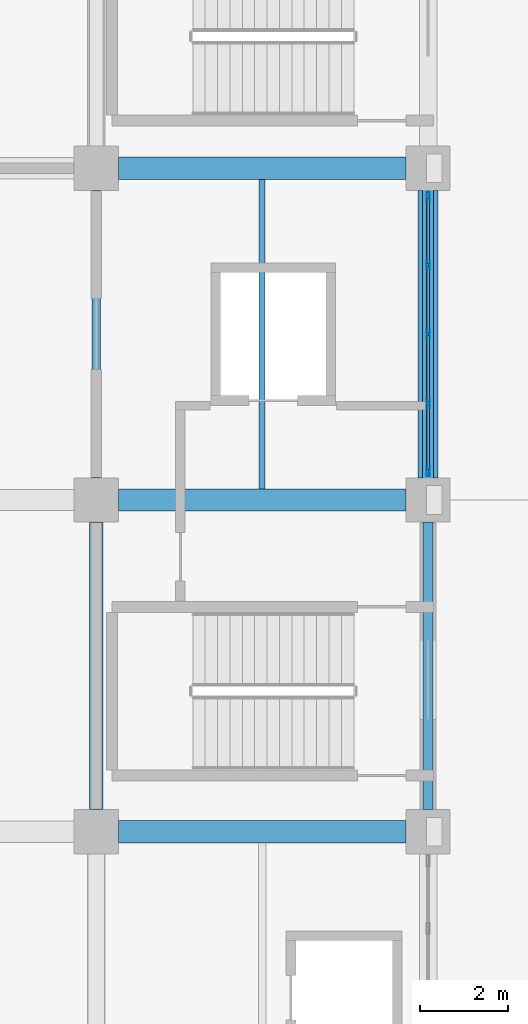
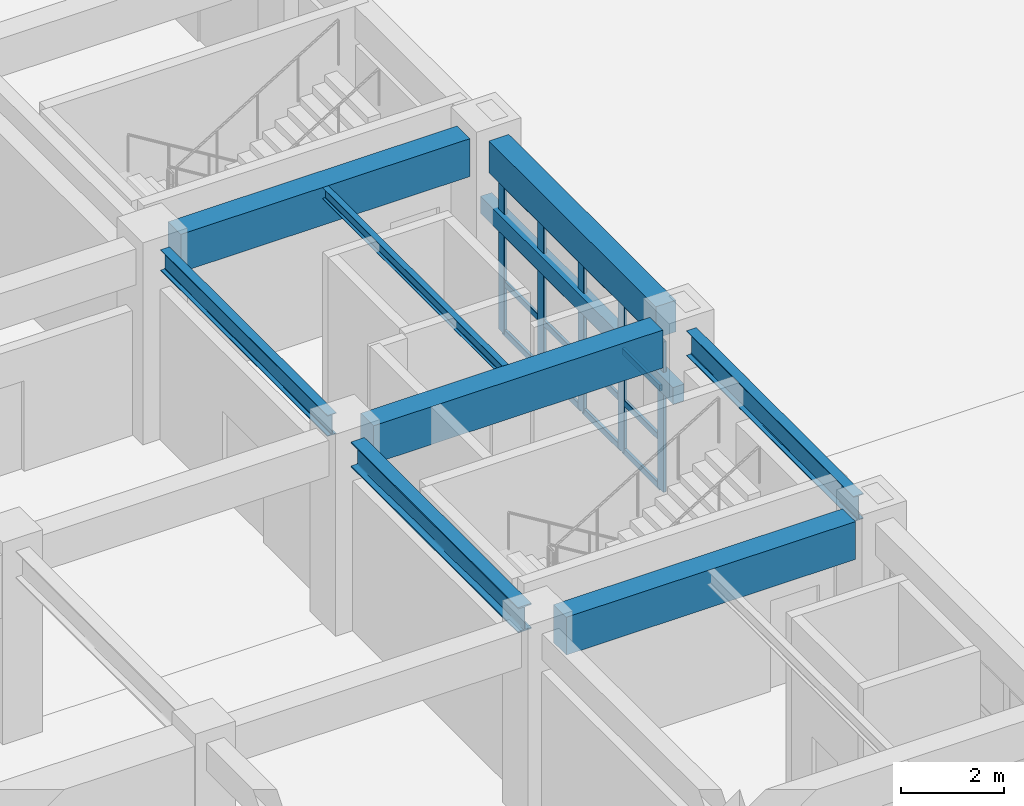
# One storey, part 30 of 122: 21 members, 9 beams, 1 element without a shape of its own.
"""IFC4 building model written with IfcOpenShell, lengths in metres."""

from ifc_helpers import new_model, si_unit, direction, frame, origin, origin_2d, place, context, subcontext, project, spatial, rectangle, hollow_rectangle, i_section, extrude, material, material_profile, profile_set, type_object, element, aggregate, save


model = new_model("IFC4")

# Units and contexts
model_context = context("Model", 3, precision=1e-05, world=origin(), true_north=direction((0.0, 1.0)))
body_context = subcontext(model_context, "Body", "Model", "MODEL_VIEW")
ifc_project = project(units=[si_unit("LENGTHUNIT", "METRE"), si_unit("AREAUNIT", "SQUARE_METRE"), si_unit("VOLUMEUNIT", "CUBIC_METRE"), si_unit("PLANEANGLEUNIT", "RADIAN"), si_unit("MASSUNIT", "GRAM", prefix="KILO")], contexts=[model_context])

# Site, building, storey
site_placement = place(None, origin())
site = spatial("IfcSite", under=ifc_project, at=site_placement, CompositionType="ELEMENT")
building_placement = place(site_placement, origin())
building = spatial("IfcBuilding", under=site, at=building_placement, Name="Qasida Concert Hall", CompositionType="ELEMENT")
storey_placement = place(building_placement, origin())
storey = spatial("IfcBuildingStorey", under=building, at=storey_placement, Name="L00", CompositionType="ELEMENT", Elevation=0.0)

# Beams
ifc_material_1 = material(Name="Steel S355J2", Category="steel")
ifc_material_profile_1 = material_profile(ifc_material_1, i_section(OverallWidth=0.199951171875, OverallDepth=0.5, WebThickness=0.01025390625, FlangeThickness=0.01611328125, FilletRadius=0.02099609375, at=origin_2d()), Name="IPE 500")
ifc_profile_set_1 = profile_set([ifc_material_profile_1], Name="Steel S355J2")
beam_type_1 = type_object("IfcBeamType", Name="BM-B4", PredefinedType="BEAM", material=ifc_profile_set_1)
beam_1_placement = place(storey_placement, frame((97.5, 53.0, 4.25), z_axis=(0.0, 1.0, 0.0), x_axis=(-1.0, 0.0, 0.0)))
element("IfcBeam", 1, at=beam_1_placement, inside=storey, type_object=beam_type_1, Name="L00 girder 0432", PredefinedType="BEAM", context=body_context, shape_type="SweptSolid", body=[
    extrude(i_section(OverallWidth=0.199951171875, OverallDepth=0.5, WebThickness=0.01025390625, FlangeThickness=0.01611328125, FilletRadius=0.02099609375, at=origin_2d()), origin(), (0.0, 0.0, 1.0), 6.5),
])
ifc_material_profile_2 = material_profile(ifc_material_1, i_section(OverallWidth=0.300048828125, OverallDepth=0.60009765625, WebThickness=0.015380859375, FlangeThickness=0.030029296875, FilletRadius=0.027099609375, at=origin_2d()), Name="HEB 600")
ifc_profile_set_2 = profile_set([ifc_material_profile_2], Name="Steel S355J2")
beam_type_2 = type_object("IfcBeamType", Name="BM-B6", PredefinedType="BEAM", material=ifc_profile_set_2)
beam_2_placement = place(storey_placement, frame((97.5, 45.5, 4.199951171875), z_axis=(0.0, 1.0, 0.0), x_axis=(-1.0, 0.0, 0.0)))
element("IfcBeam", 2, at=beam_2_placement, inside=storey, type_object=beam_type_2, Name="L00 girder 0431", PredefinedType="BEAM", context=body_context, shape_type="SweptSolid", body=[
    extrude(i_section(OverallWidth=0.300048828125, OverallDepth=0.60009765625, WebThickness=0.015380859375, FlangeThickness=0.030029296875, FilletRadius=0.027099609375, at=origin_2d()), origin(), (0.0, 0.0, 1.0), 6.5),
])
ifc_material_2 = material(Name="Concrete C40/50", Category="concrete")
ifc_material_profile_3 = material_profile(ifc_material_2, rectangle(XDim=0.5, YDim=0.89990234375, at=origin_2d()), Name="RC 500x900")
ifc_profile_set_3 = profile_set([ifc_material_profile_3], Name="Concrete C40/50")
beam_type_3 = type_object("IfcBeamType", Name="BM-G1", PredefinedType="USERDEFINED", material=ifc_profile_set_3)
for number, where, z_axis, x_axis, name in (
    (3, (98.0, 45.0, 4.050048828125), (1.0, 0.0, 0.0), (0.0, 1.0, 0.0), "Primary girder 0374"),
    (4, (98.0, 52.5, 4.050048828125), (1.0, 0.0, 0.0), (0.0, 1.0, 0.0), "Primary girder 0379"),
    (5, (98.0, 60.0, 4.050048828125), (1.0, 0.0, 0.0), (0.0, 1.0, 0.0), "Primary girder 0384"),
):
    element("IfcBeam", number, at=place(storey_placement, frame(where, z_axis=z_axis, x_axis=x_axis)), inside=storey, type_object=beam_type_3, Name=name, ObjectType="GIRDER", PredefinedType="USERDEFINED", context=body_context, shape_type="SweptSolid", body=[
        extrude(rectangle(XDim=0.5, YDim=0.89990234375, at=origin_2d()), origin(), (0.0, 0.0, 1.0), 6.5),
    ])
ifc_material_profile_4 = material_profile(ifc_material_1, i_section(OverallWidth=0.135009765625, OverallDepth=0.27001953125, WebThickness=0.006591796875, FlangeThickness=0.01025390625, FilletRadius=0.014892578125, at=origin_2d()), Name="IPE 270")
ifc_profile_set_4 = profile_set([ifc_material_profile_4], Name="Steel S355J2")
beam_type_4 = type_object("IfcBeamType", Name="BM-J6", PredefinedType="JOIST", material=ifc_profile_set_4)
beam_3_placement = place(storey_placement, frame((101.25, 52.75, 4.364990234375), z_axis=(0.0, 1.0, 0.0), x_axis=(-1.0, 0.0, 0.0)))
element("IfcBeam", 6, at=beam_3_placement, inside=storey, type_object=beam_type_4, Name="L00 secondary joist 0461", PredefinedType="JOIST", context=body_context, shape_type="SweptSolid", body=[
    extrude(i_section(OverallWidth=0.135009765625, OverallDepth=0.27001953125, WebThickness=0.006591796875, FlangeThickness=0.01025390625, FilletRadius=0.014892578125, at=origin_2d()), origin(), (0.0, 0.0, 1.0), 7.0),
])
ifc_material_profile_5 = material_profile(ifc_material_2, rectangle(XDim=0.25, YDim=0.39990234375, at=origin_2d()), Name="RC 250x400")
ifc_profile_set_5 = profile_set([ifc_material_profile_5], Name="Concrete C40/50")
beam_type_5 = type_object("IfcBeamType", Name="BM-LN1", PredefinedType="LINTEL", material=ifc_profile_set_5)
beam_4_placement = place(storey_placement, frame((105.0, 52.5, 2.64990234375), z_axis=(0.0, 1.0, 0.0), x_axis=(-1.0, 0.0, 0.0)))
element("IfcBeam", 7, at=beam_4_placement, inside=storey, type_object=beam_type_5, Name="L00 portal lintel beam 002", PredefinedType="LINTEL", context=body_context, shape_type="SweptSolid", body=[
    extrude(rectangle(XDim=0.25, YDim=0.39990234375, at=origin_2d()), origin(), (0.0, 0.0, 1.0), 7.5),
])
ifc_material_profile_6 = material_profile(ifc_material_1, i_section(OverallWidth=0.219970703125, OverallDepth=0.60009765625, WebThickness=0.011962890625, FlangeThickness=0.01904296875, FilletRadius=0.02392578125, at=origin_2d()), Name="IPE 600")
ifc_profile_set_6 = profile_set([ifc_material_profile_6], Name="Steel S355J2")
beam_type_6 = type_object("IfcBeamType", Name="BM-SP3", PredefinedType="SPANDREL", material=ifc_profile_set_6)
beam_5_placement = place(storey_placement, frame((105.0, 45.5, 4.199951171875), z_axis=(0.0, 1.0, 0.0), x_axis=(-1.0, 0.0, 0.0)))
element("IfcBeam", 8, at=beam_5_placement, inside=storey, type_object=beam_type_6, Name="L00 girder 0437", PredefinedType="SPANDREL", context=body_context, shape_type="SweptSolid", body=[
    extrude(i_section(OverallWidth=0.219970703125, OverallDepth=0.60009765625, WebThickness=0.011962890625, FlangeThickness=0.01904296875, FilletRadius=0.02392578125, at=origin_2d()), origin(), (0.0, 0.0, 1.0), 6.5),
])
ifc_material_profile_7 = material_profile(ifc_material_2, rectangle(XDim=0.449951171875, YDim=0.75, at=origin_2d()), Name="RC 450x750")
ifc_profile_set_7 = profile_set([ifc_material_profile_7], Name="Concrete C40/50")
beam_type_7 = type_object("IfcBeamType", Name="BM-SP4", PredefinedType="SPANDREL", material=ifc_profile_set_7)
beam_6_placement = place(storey_placement, frame((105.0, 53.0, 4.125), z_axis=(0.0, 1.0, 0.0), x_axis=(-1.0, 0.0, 0.0)))
element("IfcBeam", 9, at=beam_6_placement, inside=storey, type_object=beam_type_7, Name="L00 girder 0438", PredefinedType="SPANDREL", context=body_context, shape_type="SweptSolid", body=[
    extrude(rectangle(XDim=0.449951171875, YDim=0.75, at=origin_2d()), origin(), (0.0, 0.0, 1.0), 6.5),
])

# Curtain wall, members
ifc_material_3 = material(Name="Architectural bronze-anodized aluminium and low-E glass", Category="aluminium")
curtain_wall_type = type_object("IfcCurtainWallType", Name="CW-01", PredefinedType="NOTDEFINED", material=ifc_material_3)
curtain_wall_placement = place(storey_placement, origin())
curtain_wall = element("IfcCurtainWall", 10, at=curtain_wall_placement, inside=storey, type_object=curtain_wall_type, Name="L00 curtain wall CW-01 0040", PredefinedType="NOTDEFINED")
ifc_material_4 = material(Name="Architectural bronze-anodized aluminium EN AW-6063", Category="aluminium")
ifc_material_profile_8 = material_profile(ifc_material_4, hollow_rectangle(XDim=0.070068359375, YDim=0.239990234375, WallThickness=0.0048828125, InnerFilletRadius=0.0048828125, OuterFilletRadius=0.010009765625, at=origin_2d()), Name="CWM 240x70x5")
ifc_profile_set_8 = profile_set([ifc_material_profile_8], Name="Architectural bronze-anodized aluminium EN AW-6063")
member_type_1 = type_object("IfcMemberType", Name="MB-CWM-1", PredefinedType="MULLION", material=ifc_profile_set_8)
member_1_placement = place(storey_placement, frame((105.0, 53.155029296875, 0.0), z_axis=(0.0, 0.0, 1.0), x_axis=(-1.0, 0.0, 0.0)))
member_1 = element("IfcMember", 11, at=member_1_placement, type_object=member_type_1, Name="CW-01 mullion 1", PredefinedType="MULLION", context=body_context, shape_type="SweptSolid", body=[
    extrude(hollow_rectangle(XDim=0.070068359375, YDim=0.239990234375, WallThickness=0.0048828125, InnerFilletRadius=0.0048828125, OuterFilletRadius=0.010009765625, at=origin_2d()), origin(), (0.0, 0.0, 1.0), 3.570068359375),
])
member_2_placement = place(storey_placement, frame((105.0, 54.68505859375, 0.0), z_axis=(0.0, 0.0, 1.0), x_axis=(-1.0, 0.0, 0.0)))
member_2 = element("IfcMember", 12, at=member_2_placement, type_object=member_type_1, Name="CW-01 mullion 2", PredefinedType="MULLION", context=body_context, shape_type="SweptSolid", body=[
    extrude(hollow_rectangle(XDim=0.070068359375, YDim=0.239990234375, WallThickness=0.0048828125, InnerFilletRadius=0.0048828125, OuterFilletRadius=0.010009765625, at=origin_2d()), origin(), (0.0, 0.0, 1.0), 3.570068359375),
])
member_3_placement = place(storey_placement, frame((105.0, 56.25, 0.0), z_axis=(0.0, 0.0, 1.0), x_axis=(-1.0, 0.0, 0.0)))
member_3 = element("IfcMember", 13, at=member_3_placement, type_object=member_type_1, Name="CW-01 mullion 3", PredefinedType="MULLION", context=body_context, shape_type="SweptSolid", body=[
    extrude(hollow_rectangle(XDim=0.070068359375, YDim=0.239990234375, WallThickness=0.0048828125, InnerFilletRadius=0.0048828125, OuterFilletRadius=0.010009765625, at=origin_2d()), origin(), (0.0, 0.0, 1.0), 3.570068359375),
])
member_4_placement = place(storey_placement, frame((105.0, 57.81494140625, 0.0), z_axis=(0.0, 0.0, 1.0), x_axis=(-1.0, 0.0, 0.0)))
member_4 = element("IfcMember", 14, at=member_4_placement, type_object=member_type_1, Name="CW-01 mullion 4", PredefinedType="MULLION", context=body_context, shape_type="SweptSolid", body=[
    extrude(hollow_rectangle(XDim=0.070068359375, YDim=0.239990234375, WallThickness=0.0048828125, InnerFilletRadius=0.0048828125, OuterFilletRadius=0.010009765625, at=origin_2d()), origin(), (0.0, 0.0, 1.0), 3.570068359375),
])
member_5_placement = place(storey_placement, frame((105.0, 59.344970703125, 0.0), z_axis=(0.0, 0.0, 1.0), x_axis=(-1.0, 0.0, 0.0)))
member_5 = element("IfcMember", 15, at=member_5_placement, type_object=member_type_1, Name="CW-01 mullion 5", PredefinedType="MULLION", context=body_context, shape_type="SweptSolid", body=[
    extrude(hollow_rectangle(XDim=0.070068359375, YDim=0.239990234375, WallThickness=0.0048828125, InnerFilletRadius=0.0048828125, OuterFilletRadius=0.010009765625, at=origin_2d()), origin(), (0.0, 0.0, 1.0), 3.570068359375),
])
ifc_material_profile_9 = material_profile(ifc_material_4, hollow_rectangle(XDim=0.06494140625, YDim=0.14990234375, WallThickness=0.00390625, InnerFilletRadius=0.00390625, OuterFilletRadius=0.008056640625, at=origin_2d()), Name="CWT 150x65x4")
ifc_profile_set_9 = profile_set([ifc_material_profile_9], Name="Architectural bronze-anodized aluminium EN AW-6063")
member_type_2 = type_object("IfcMemberType", Name="MB-CWT-1", PredefinedType="USERDEFINED", material=ifc_profile_set_9)
member_6_placement = place(storey_placement, frame((105.0, 53.18994140625, 0.032470703125), z_axis=(0.0, 1.0, 0.0), x_axis=(-1.0, 0.0, 0.0)))
member_6 = element("IfcMember", 16, at=member_6_placement, type_object=member_type_2, Name="CW-01 transom 1.1", ObjectType="TRANSOM", PredefinedType="USERDEFINED", context=body_context, shape_type="SweptSolid", body=[
    extrude(hollow_rectangle(XDim=0.06494140625, YDim=0.14990234375, WallThickness=0.00390625, InnerFilletRadius=0.00390625, OuterFilletRadius=0.008056640625, at=origin_2d()), origin(), (0.0, 0.0, 1.0), 1.4599609375),
])
member_7_placement = place(storey_placement, frame((105.0, 53.18994140625, 1.18994140625), z_axis=(0.0, 1.0, 0.0), x_axis=(-1.0, 0.0, 0.0)))
member_7 = element("IfcMember", 17, at=member_7_placement, type_object=member_type_2, Name="CW-01 transom 1.2", ObjectType="TRANSOM", PredefinedType="USERDEFINED", context=body_context, shape_type="SweptSolid", body=[
    extrude(hollow_rectangle(XDim=0.06494140625, YDim=0.14990234375, WallThickness=0.00390625, InnerFilletRadius=0.00390625, OuterFilletRadius=0.008056640625, at=origin_2d()), origin(), (0.0, 0.0, 1.0), 1.4599609375),
])
member_8_placement = place(storey_placement, frame((105.0, 53.18994140625, 2.3798828125), z_axis=(0.0, 1.0, 0.0), x_axis=(-1.0, 0.0, 0.0)))
member_8 = element("IfcMember", 18, at=member_8_placement, type_object=member_type_2, Name="CW-01 transom 1.3", ObjectType="TRANSOM", PredefinedType="USERDEFINED", context=body_context, shape_type="SweptSolid", body=[
    extrude(hollow_rectangle(XDim=0.06494140625, YDim=0.14990234375, WallThickness=0.00390625, InnerFilletRadius=0.00390625, OuterFilletRadius=0.008056640625, at=origin_2d()), origin(), (0.0, 0.0, 1.0), 1.4599609375),
])
member_9_placement = place(storey_placement, frame((105.0, 53.18994140625, 3.53759765625), z_axis=(0.0, 1.0, 0.0), x_axis=(-1.0, 0.0, 0.0)))
member_9 = element("IfcMember", 19, at=member_9_placement, type_object=member_type_2, Name="CW-01 transom 1.4", ObjectType="TRANSOM", PredefinedType="USERDEFINED", context=body_context, shape_type="SweptSolid", body=[
    extrude(hollow_rectangle(XDim=0.06494140625, YDim=0.14990234375, WallThickness=0.00390625, InnerFilletRadius=0.00390625, OuterFilletRadius=0.008056640625, at=origin_2d()), origin(), (0.0, 0.0, 1.0), 1.4599609375),
])
member_10_placement = place(storey_placement, frame((105.0, 54.719970703125, 0.032470703125), z_axis=(0.0, 1.0, 0.0), x_axis=(-1.0, 0.0, 0.0)))
member_10 = element("IfcMember", 20, at=member_10_placement, type_object=member_type_2, Name="CW-01 transom 2.1", ObjectType="TRANSOM", PredefinedType="USERDEFINED", context=body_context, shape_type="SweptSolid", body=[
    extrude(hollow_rectangle(XDim=0.06494140625, YDim=0.14990234375, WallThickness=0.00390625, InnerFilletRadius=0.00390625, OuterFilletRadius=0.008056640625, at=origin_2d()), origin(), (0.0, 0.0, 1.0), 1.4951171875),
])
member_11_placement = place(storey_placement, frame((105.0, 54.719970703125, 1.18994140625), z_axis=(0.0, 1.0, 0.0), x_axis=(-1.0, 0.0, 0.0)))
member_11 = element("IfcMember", 21, at=member_11_placement, type_object=member_type_2, Name="CW-01 transom 2.2", ObjectType="TRANSOM", PredefinedType="USERDEFINED", context=body_context, shape_type="SweptSolid", body=[
    extrude(hollow_rectangle(XDim=0.06494140625, YDim=0.14990234375, WallThickness=0.00390625, InnerFilletRadius=0.00390625, OuterFilletRadius=0.008056640625, at=origin_2d()), origin(), (0.0, 0.0, 1.0), 1.4951171875),
])
member_12_placement = place(storey_placement, frame((105.0, 54.719970703125, 2.3798828125), z_axis=(0.0, 1.0, 0.0), x_axis=(-1.0, 0.0, 0.0)))
member_12 = element("IfcMember", 22, at=member_12_placement, type_object=member_type_2, Name="CW-01 transom 2.3", ObjectType="TRANSOM", PredefinedType="USERDEFINED", context=body_context, shape_type="SweptSolid", body=[
    extrude(hollow_rectangle(XDim=0.06494140625, YDim=0.14990234375, WallThickness=0.00390625, InnerFilletRadius=0.00390625, OuterFilletRadius=0.008056640625, at=origin_2d()), origin(), (0.0, 0.0, 1.0), 1.4951171875),
])
member_13_placement = place(storey_placement, frame((105.0, 54.719970703125, 3.53759765625), z_axis=(0.0, 1.0, 0.0), x_axis=(-1.0, 0.0, 0.0)))
member_13 = element("IfcMember", 23, at=member_13_placement, type_object=member_type_2, Name="CW-01 transom 2.4", ObjectType="TRANSOM", PredefinedType="USERDEFINED", context=body_context, shape_type="SweptSolid", body=[
    extrude(hollow_rectangle(XDim=0.06494140625, YDim=0.14990234375, WallThickness=0.00390625, InnerFilletRadius=0.00390625, OuterFilletRadius=0.008056640625, at=origin_2d()), origin(), (0.0, 0.0, 1.0), 1.4951171875),
])
member_14_placement = place(storey_placement, frame((105.0, 56.284912109375, 0.032470703125), z_axis=(0.0, 1.0, 0.0), x_axis=(-1.0, 0.0, 0.0)))
member_14 = element("IfcMember", 24, at=member_14_placement, type_object=member_type_2, Name="CW-01 transom 3.1", ObjectType="TRANSOM", PredefinedType="USERDEFINED", context=body_context, shape_type="SweptSolid", body=[
    extrude(hollow_rectangle(XDim=0.06494140625, YDim=0.14990234375, WallThickness=0.00390625, InnerFilletRadius=0.00390625, OuterFilletRadius=0.008056640625, at=origin_2d()), origin(), (0.0, 0.0, 1.0), 1.4951171875),
])
member_15_placement = place(storey_placement, frame((105.0, 56.284912109375, 1.18994140625), z_axis=(0.0, 1.0, 0.0), x_axis=(-1.0, 0.0, 0.0)))
member_15 = element("IfcMember", 25, at=member_15_placement, type_object=member_type_2, Name="CW-01 transom 3.2", ObjectType="TRANSOM", PredefinedType="USERDEFINED", context=body_context, shape_type="SweptSolid", body=[
    extrude(hollow_rectangle(XDim=0.06494140625, YDim=0.14990234375, WallThickness=0.00390625, InnerFilletRadius=0.00390625, OuterFilletRadius=0.008056640625, at=origin_2d()), origin(), (0.0, 0.0, 1.0), 1.4951171875),
])
member_16_placement = place(storey_placement, frame((105.0, 56.284912109375, 2.3798828125), z_axis=(0.0, 1.0, 0.0), x_axis=(-1.0, 0.0, 0.0)))
member_16 = element("IfcMember", 26, at=member_16_placement, type_object=member_type_2, Name="CW-01 transom 3.3", ObjectType="TRANSOM", PredefinedType="USERDEFINED", context=body_context, shape_type="SweptSolid", body=[
    extrude(hollow_rectangle(XDim=0.06494140625, YDim=0.14990234375, WallThickness=0.00390625, InnerFilletRadius=0.00390625, OuterFilletRadius=0.008056640625, at=origin_2d()), origin(), (0.0, 0.0, 1.0), 1.4951171875),
])
member_17_placement = place(storey_placement, frame((105.0, 56.284912109375, 3.53759765625), z_axis=(0.0, 1.0, 0.0), x_axis=(-1.0, 0.0, 0.0)))
member_17 = element("IfcMember", 27, at=member_17_placement, type_object=member_type_2, Name="CW-01 transom 3.4", ObjectType="TRANSOM", PredefinedType="USERDEFINED", context=body_context, shape_type="SweptSolid", body=[
    extrude(hollow_rectangle(XDim=0.06494140625, YDim=0.14990234375, WallThickness=0.00390625, InnerFilletRadius=0.00390625, OuterFilletRadius=0.008056640625, at=origin_2d()), origin(), (0.0, 0.0, 1.0), 1.4951171875),
])
member_18_placement = place(storey_placement, frame((105.0, 57.85009765625, 0.032470703125), z_axis=(0.0, 1.0, 0.0), x_axis=(-1.0, 0.0, 0.0)))
member_18 = element("IfcMember", 28, at=member_18_placement, type_object=member_type_2, Name="CW-01 transom 4.1", ObjectType="TRANSOM", PredefinedType="USERDEFINED", context=body_context, shape_type="SweptSolid", body=[
    extrude(hollow_rectangle(XDim=0.06494140625, YDim=0.14990234375, WallThickness=0.00390625, InnerFilletRadius=0.00390625, OuterFilletRadius=0.008056640625, at=origin_2d()), origin(), (0.0, 0.0, 1.0), 1.4599609375),
])
member_19_placement = place(storey_placement, frame((105.0, 57.85009765625, 1.18994140625), z_axis=(0.0, 1.0, 0.0), x_axis=(-1.0, 0.0, 0.0)))
member_19 = element("IfcMember", 29, at=member_19_placement, type_object=member_type_2, Name="CW-01 transom 4.2", ObjectType="TRANSOM", PredefinedType="USERDEFINED", context=body_context, shape_type="SweptSolid", body=[
    extrude(hollow_rectangle(XDim=0.06494140625, YDim=0.14990234375, WallThickness=0.00390625, InnerFilletRadius=0.00390625, OuterFilletRadius=0.008056640625, at=origin_2d()), origin(), (0.0, 0.0, 1.0), 1.4599609375),
])
member_20_placement = place(storey_placement, frame((105.0, 57.85009765625, 2.3798828125), z_axis=(0.0, 1.0, 0.0), x_axis=(-1.0, 0.0, 0.0)))
member_20 = element("IfcMember", 30, at=member_20_placement, type_object=member_type_2, Name="CW-01 transom 4.3", ObjectType="TRANSOM", PredefinedType="USERDEFINED", context=body_context, shape_type="SweptSolid", body=[
    extrude(hollow_rectangle(XDim=0.06494140625, YDim=0.14990234375, WallThickness=0.00390625, InnerFilletRadius=0.00390625, OuterFilletRadius=0.008056640625, at=origin_2d()), origin(), (0.0, 0.0, 1.0), 1.4599609375),
])
member_21_placement = place(storey_placement, frame((105.0, 57.85009765625, 3.53759765625), z_axis=(0.0, 1.0, 0.0), x_axis=(-1.0, 0.0, 0.0)))
member_21 = element("IfcMember", 31, at=member_21_placement, type_object=member_type_2, Name="CW-01 transom 4.4", ObjectType="TRANSOM", PredefinedType="USERDEFINED", context=body_context, shape_type="SweptSolid", body=[
    extrude(hollow_rectangle(XDim=0.06494140625, YDim=0.14990234375, WallThickness=0.00390625, InnerFilletRadius=0.00390625, OuterFilletRadius=0.008056640625, at=origin_2d()), origin(), (0.0, 0.0, 1.0), 1.4599609375),
])
aggregate(curtain_wall, [member_1, member_2, member_3, member_4, member_5, member_6, member_7, member_8, member_9, member_10, member_11, member_12, member_13, member_14, member_15, member_16, member_17, member_18, member_19, member_20, member_21])

save(model, "model.ifc")
